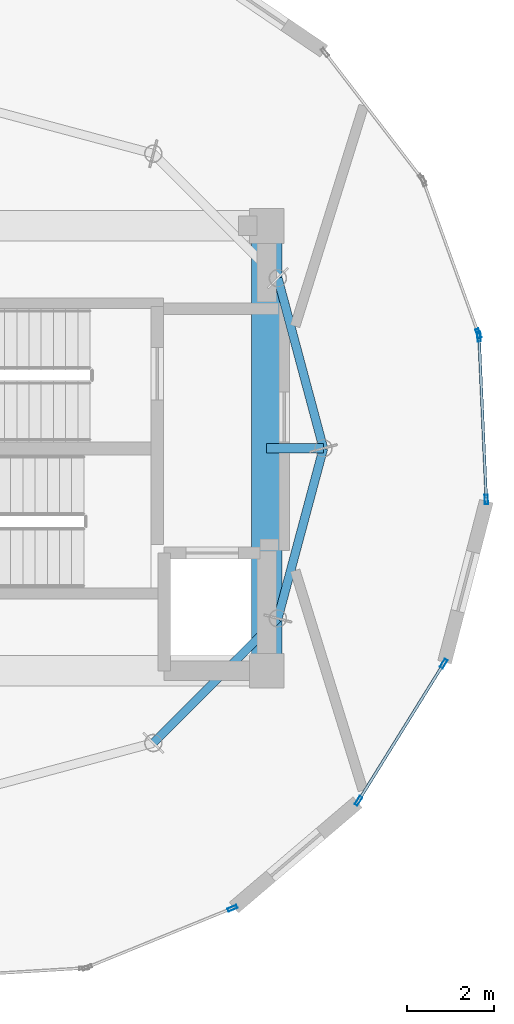
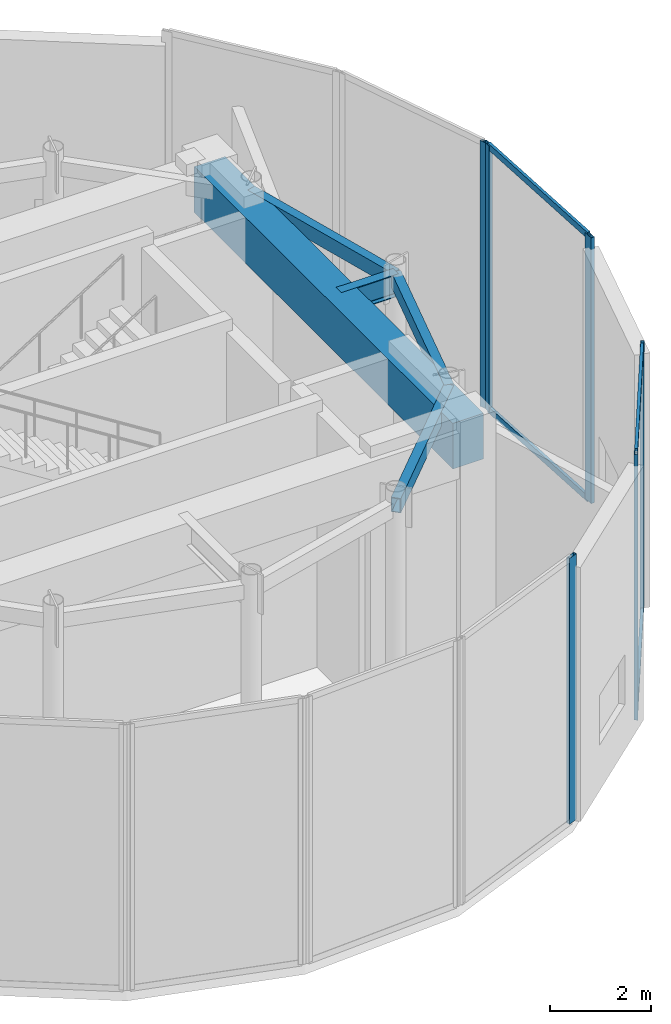
# One storey, part 4 of 9: 10 members, 5 beams, 4 elements without a shape of their own.
"""IFC4 building model written with IfcOpenShell, lengths in metres."""

from ifc_helpers import new_model, si_unit, direction, frame, origin, origin_2d, place, context, subcontext, project, spatial, rectangle, hollow_rectangle, i_section, extrude, source, transform, mapped, material, layer, layer_set, material_profile, profile_set, type_object, element, aggregate, save


model = new_model("IFC4")

# Units and contexts
model_context = context("Model", 3, precision=1e-05, world=origin(), true_north=direction((0.0, 1.0)))
body_context = subcontext(model_context, "Body", "Model", "MODEL_VIEW")
ifc_project = project(units=[si_unit("LENGTHUNIT", "METRE"), si_unit("AREAUNIT", "SQUARE_METRE"), si_unit("VOLUMEUNIT", "CUBIC_METRE"), si_unit("PLANEANGLEUNIT", "RADIAN"), si_unit("MASSUNIT", "GRAM", prefix="KILO")], contexts=[model_context])

# Site, building, storey
site_placement = place(None, origin())
site = spatial("IfcSite", under=ifc_project, at=site_placement, CompositionType="ELEMENT")
building_placement = place(site_placement, origin())
building = spatial("IfcBuilding", under=site, at=building_placement, Name="Solvirekh Grand Hotel", CompositionType="ELEMENT")
storey_placement = place(building_placement, frame((0.0, 0.0, 314.60009765625)))
storey = spatial("IfcBuildingStorey", under=building, at=storey_placement, Name="L80", CompositionType="ELEMENT", Elevation=314.60009765625)

# Beams
ifc_material_1 = material(Name="Concrete C60/75", Category="concrete")
ifc_material_profile_1 = material_profile(ifc_material_1, rectangle(XDim=0.699951171875, YDim=1.10009765625, at=origin_2d()), Name="RC BEAM 700X1100")
ifc_profile_set_1 = profile_set([ifc_material_profile_1], Name="Concrete C60/75")
beam_type_1 = type_object("IfcBeamType", Name="Beam_Core_RC1100", PredefinedType="BEAM", material=ifc_profile_set_1)
beam_1_placement = place(storey_placement, frame((6.5, -5.10009765625, 5.56982421875), z_axis=(0.0, 1.0, 0.0), x_axis=(-1.0, 0.0, 0.0)))
element("IfcBeam", 1, at=beam_1_placement, inside=storey, type_object=beam_type_1, Name="L80 core coupling ring beam 2", PredefinedType="BEAM", context=body_context, shape_type="SweptSolid", body=[
    extrude(rectangle(XDim=0.699951171875, YDim=1.10009765625, at=origin_2d()), origin(), (0.0, 0.0, 1.0), 10.2001953125),
])
ifc_material_2 = material(Name="Steel S355", Category="steel")
ifc_material_profile_2 = material_profile(ifc_material_2, i_section(OverallWidth=0.2119140625, OverallDepth=0.5439453125, WebThickness=0.011962890625, FlangeThickness=0.01904296875, FilletRadius=0.013916015625, at=origin_2d()), Name="W530X123")
ifc_profile_set_2 = profile_set([ifc_material_profile_2], Name="Steel S355")
beam_type_2 = type_object("IfcBeamType", Name="Beam_Radial_W530H", PredefinedType="BEAM", material=ifc_profile_set_2)
beam_2_placement = place(storey_placement, frame((6.5, 0.0, 5.847900390625), z_axis=(1.0, 0.0, 0.0), x_axis=(0.0, 1.0, 0.0)))
element("IfcBeam", 2, at=beam_2_placement, inside=storey, type_object=beam_type_2, Name="L80 radial floor beam R01", PredefinedType="BEAM", context=body_context, shape_type="SweptSolid", body=[
    extrude(i_section(OverallWidth=0.2119140625, OverallDepth=0.5439453125, WebThickness=0.011962890625, FlangeThickness=0.01904296875, FilletRadius=0.013916015625, at=origin_2d()), origin(), (0.0, 0.0, 1.0), 1.300048828125),
])
ifc_material_profile_3 = material_profile(ifc_material_2, hollow_rectangle(XDim=0.199951171875, YDim=0.35009765625, WallThickness=0.013916015625, at=origin_2d()), Name="RHS 350X200X14")
ifc_profile_set_3 = profile_set([ifc_material_profile_3], Name="Steel S355")
beam_type_3 = type_object("IfcBeamType", Name="Spandrel_Crown_RHS350", PredefinedType="SPANDREL", material=ifc_profile_set_3)
for number, where, z_axis, x_axis, name in (
    (3, (7.800048828125, 0.0, 5.94482421875), (-0.258863027773, 0.965914040095, 0.0), (-0.965914040095, -0.258863027773, 0.0), "L80 perimeter spandrel beam 1"),
    (4, (3.89990234375, -6.7548828125, 5.94482421875), (0.707106781187, 0.707106781187, 0.0), (-0.707106781187, 0.707106781187, 0.0), "L80 perimeter spandrel beam 11"),
    (5, (6.7548828125, -3.89990234375, 5.94482421875), (0.258863027773, 0.965914040095, 0.0), (-0.965914040095, 0.258863027773, 0.0), "L80 perimeter spandrel beam 12"),
):
    element("IfcBeam", number, at=place(storey_placement, frame(where, z_axis=z_axis, x_axis=x_axis)), inside=storey, type_object=beam_type_3, Name=name, PredefinedType="SPANDREL", context=body_context, shape_type="SweptSolid", body=[
        extrude(hollow_rectangle(XDim=0.199951171875, YDim=0.35009765625, WallThickness=0.013916015625, at=origin_2d()), origin(), (0.0, 0.0, 1.0), 4.03759765625),
    ])

# Curtain wall, member
ifc_material_3 = material(Name="Anodized Bronze Aluminium 6063-T6", Category="aluminium")
ifc_layer = layer(ifc_material_3, 0.219970703125)
ifc_layer_set = layer_set([ifc_layer], Name="Anodized Bronze Aluminium 6063-T6")
curtain_wall_type = type_object("IfcCurtainWallType", Name="CW_Sys6_CrownFacetedPointCW", PredefinedType="NOTDEFINED", material=ifc_layer_set)
curtain_wall_1_placement = place(storey_placement, origin())
curtain_wall_1 = element("IfcCurtainWall", 6, at=curtain_wall_1_placement, inside=storey, type_object=curtain_wall_type, Name="L80 unitised bronze-glass curtain wall CW-L80-C02", PredefinedType="NOTDEFINED")
ifc_material_profile_4 = material_profile(ifc_material_3, hollow_rectangle(XDim=0.074951171875, YDim=0.219970703125, WallThickness=0.006103515625, at=origin_2d()), Name="ALU RHS 220X75X6")
ifc_profile_set_4 = profile_set([ifc_material_profile_4], Name="Anodized Bronze Aluminium 6063-T6")
member_type_1 = type_object("IfcMemberType", Name="CWMullion_Sys6", PredefinedType="MULLION", material=ifc_profile_set_4)
shared_shape_1 = source(origin(), body_context, "Body", "SweptSolid", [
    extrude(hollow_rectangle(XDim=0.074951171875, YDim=0.219970703125, WallThickness=0.006103515625, at=origin_2d()), origin(), (0.0, 0.0, 1.0), 6.39990234375),
])
member_1_placement = place(storey_placement, frame((5.71435546875, -10.543212890625, 0.0), z_axis=(0.0, 0.0, 1.0), x_axis=(-0.377539320526, 0.92599355368, 0.0)))
member_1 = element("IfcMember", 7, at=member_1_placement, type_object=member_type_1, Name="U06 mullion 2", PredefinedType="MULLION", context=body_context, shape_type="MappedRepresentation", body=[
    mapped(shared_shape_1, transform((0.0, 0.0, 0.0), x_axis=(1.0, 0.0, 0.0), y_axis=(0.0, 1.0, 0.0), z_axis=(0.0, 0.0, 1.0), scale=1.0)),
])
aggregate(curtain_wall_1, [member_1])

# Curtain wall, members
curtain_wall_2_placement = place(storey_placement, origin())
curtain_wall_2 = element("IfcCurtainWall", 8, at=curtain_wall_2_placement, inside=storey, type_object=curtain_wall_type, Name="L80 unitised bronze-glass curtain wall CW-L80-C04", PredefinedType="NOTDEFINED")
member_2_placement = place(storey_placement, frame((8.603759765625, -8.0810546875, 0.0), z_axis=(0.0, 0.0, 1.0), x_axis=(-0.849452034062, 0.527665842961, 0.0)))
member_2 = element("IfcMember", 9, at=member_2_placement, type_object=member_type_1, Name="U06 mullion 1", PredefinedType="MULLION", context=body_context, shape_type="MappedRepresentation", body=[
    mapped(shared_shape_1, transform((0.0, 0.0, 0.0), x_axis=(1.0, 0.0, 0.0), y_axis=(0.0, 1.0, 0.0), z_axis=(0.0, 0.0, 1.0), scale=1.0)),
])
member_3_placement = place(storey_placement, frame((10.55810546875, -4.934814453125, 0.0), z_axis=(0.0, 0.0, 1.0), x_axis=(-0.849452034062, 0.527665842961, 0.0)))
member_3 = element("IfcMember", 10, at=member_3_placement, type_object=member_type_1, Name="U06 mullion 2", PredefinedType="MULLION", context=body_context, shape_type="MappedRepresentation", body=[
    mapped(shared_shape_1, transform((0.0, 0.0, 0.0), x_axis=(1.0, 0.0, 0.0), y_axis=(0.0, 1.0, 0.0), z_axis=(0.0, 0.0, 1.0), scale=1.0)),
])

curtain_wall_3_placement = place(storey_placement, origin())
curtain_wall_3 = element("IfcCurtainWall", 11, at=curtain_wall_3_placement, inside=storey, type_object=curtain_wall_type, Name="L80 unitised bronze-glass curtain wall CW-L80-C06", PredefinedType="NOTDEFINED")
member_4_placement = place(storey_placement, frame((11.534423828125, -1.175537109375, 0.0), z_axis=(0.0, 0.0, 1.0), x_axis=(-0.999005516281, -0.044586751848, 0.0)))
member_4 = element("IfcMember", 12, at=member_4_placement, type_object=member_type_1, Name="U06 mullion 1", PredefinedType="MULLION", context=body_context, shape_type="MappedRepresentation", body=[
    mapped(shared_shape_1, transform((0.0, 0.0, 0.0), x_axis=(1.0, 0.0, 0.0), y_axis=(0.0, 1.0, 0.0), z_axis=(0.0, 0.0, 1.0), scale=1.0)),
])
member_5_placement = place(storey_placement, frame((11.36767578125, 2.55859375, 0.0), z_axis=(0.0, 0.0, 1.0), x_axis=(-0.999005516281, -0.044586751848, 0.0)))
member_5 = element("IfcMember", 13, at=member_5_placement, type_object=member_type_1, Name="U06 mullion 2", PredefinedType="MULLION", context=body_context, shape_type="MappedRepresentation", body=[
    mapped(shared_shape_1, transform((0.0, 0.0, 0.0), x_axis=(1.0, 0.0, 0.0), y_axis=(0.0, 1.0, 0.0), z_axis=(0.0, 0.0, 1.0), scale=1.0)),
])

# Curtain wall, member
curtain_wall_4_placement = place(storey_placement, origin())
curtain_wall_4 = element("IfcCurtainWall", 14, at=curtain_wall_4_placement, inside=storey, type_object=curtain_wall_type, Name="L80 unitised bronze-glass curtain wall CW-L80-C07", PredefinedType="NOTDEFINED")
member_6_placement = place(storey_placement, frame((11.353271484375, 2.63134765625, 0.0), z_axis=(0.0, 0.0, 1.0), x_axis=(-0.940617276531, -0.339468907399, 0.0)))
member_6 = element("IfcMember", 15, at=member_6_placement, type_object=member_type_1, Name="U06 mullion 1", PredefinedType="MULLION", context=body_context, shape_type="MappedRepresentation", body=[
    mapped(shared_shape_1, transform((0.0, 0.0, 0.0), x_axis=(1.0, 0.0, 0.0), y_axis=(0.0, 1.0, 0.0), z_axis=(0.0, 0.0, 1.0), scale=1.0)),
])
aggregate(curtain_wall_4, [member_6])

# Member
ifc_material_profile_5 = material_profile(ifc_material_3, hollow_rectangle(XDim=0.06494140625, YDim=0.14990234375, WallThickness=0.0048828125, at=origin_2d()), Name="ALU RHS 150X65X5")
ifc_profile_set_5 = profile_set([ifc_material_profile_5], Name="Anodized Bronze Aluminium 6063-T6")
member_type_2 = type_object("IfcMemberType", Name="CWTransom_Sys6", PredefinedType="USERDEFINED", material=ifc_profile_set_5)
shared_shape_2 = source(origin(), body_context, "Body", "SweptSolid", [
    extrude(hollow_rectangle(XDim=0.06494140625, YDim=0.14990234375, WallThickness=0.0048828125, at=origin_2d()), origin(), (0.0, 0.0, 1.0), 3.62890625),
])
member_7_placement = place(storey_placement, frame((8.62353515625, -8.04931640625, 0.032470703125), z_axis=(0.527662606573, 0.849454044446, 0.0), x_axis=(-0.849454044446, 0.527662606573, 0.0)))
member_7 = element("IfcMember", 16, at=member_7_placement, type_object=member_type_2, Name="U06 transom 1.1", ObjectType="TRANSOM", PredefinedType="USERDEFINED", context=body_context, shape_type="MappedRepresentation", body=[
    mapped(shared_shape_2, transform((0.0, 0.0, 0.0), x_axis=(1.0, 0.0, 0.0), y_axis=(0.0, 1.0, 0.0), z_axis=(0.0, 0.0, 1.0), scale=1.0)),
])

member_8_placement = place(storey_placement, frame((8.62353515625, -8.04931640625, 6.367431640625), z_axis=(0.527662606573, 0.849454044446, 0.0), x_axis=(-0.849454044446, 0.527662606573, 0.0)))
member_8 = element("IfcMember", 17, at=member_8_placement, type_object=member_type_2, Name="U06 transom 1.2", ObjectType="TRANSOM", PredefinedType="USERDEFINED", context=body_context, shape_type="MappedRepresentation", body=[
    mapped(shared_shape_2, transform((0.0, 0.0, 0.0), x_axis=(1.0, 0.0, 0.0), y_axis=(0.0, 1.0, 0.0), z_axis=(0.0, 0.0, 1.0), scale=1.0)),
])

aggregate(curtain_wall_2, [member_2, member_3, member_7, member_8])

shared_shape_3 = source(origin(), body_context, "Body", "SweptSolid", [
    extrude(hollow_rectangle(XDim=0.06494140625, YDim=0.14990234375, WallThickness=0.0048828125, at=origin_2d()), origin(), (0.0, 0.0, 1.0), 3.662841796875),
])
member_9_placement = place(storey_placement, frame((11.53271484375, -1.13818359375, 0.032470703125), z_axis=(-0.04459131, 0.999005312835, 0.0), x_axis=(-0.999005312835, -0.04459131, 0.0)))
member_9 = element("IfcMember", 18, at=member_9_placement, type_object=member_type_2, Name="U06 transom 1.1", ObjectType="TRANSOM", PredefinedType="USERDEFINED", context=body_context, shape_type="MappedRepresentation", body=[
    mapped(shared_shape_3, transform((0.0, 0.0, 0.0), x_axis=(1.0, 0.0, 0.0), y_axis=(0.0, 1.0, 0.0), z_axis=(0.0, 0.0, 1.0), scale=1.0)),
])

member_10_placement = place(storey_placement, frame((11.53271484375, -1.13818359375, 6.367431640625), z_axis=(-0.04459131, 0.999005312835, 0.0), x_axis=(-0.999005312835, -0.04459131, 0.0)))
member_10 = element("IfcMember", 19, at=member_10_placement, type_object=member_type_2, Name="U06 transom 1.2", ObjectType="TRANSOM", PredefinedType="USERDEFINED", context=body_context, shape_type="MappedRepresentation", body=[
    mapped(shared_shape_3, transform((0.0, 0.0, 0.0), x_axis=(1.0, 0.0, 0.0), y_axis=(0.0, 1.0, 0.0), z_axis=(0.0, 0.0, 1.0), scale=1.0)),
])

aggregate(curtain_wall_3, [member_4, member_5, member_9, member_10])

save(model, "model.ifc")
